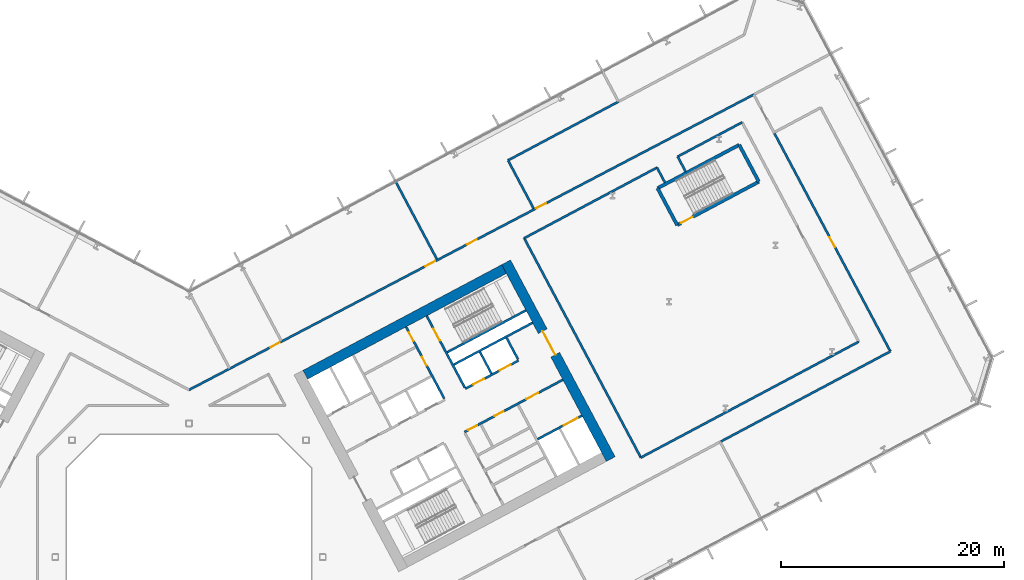
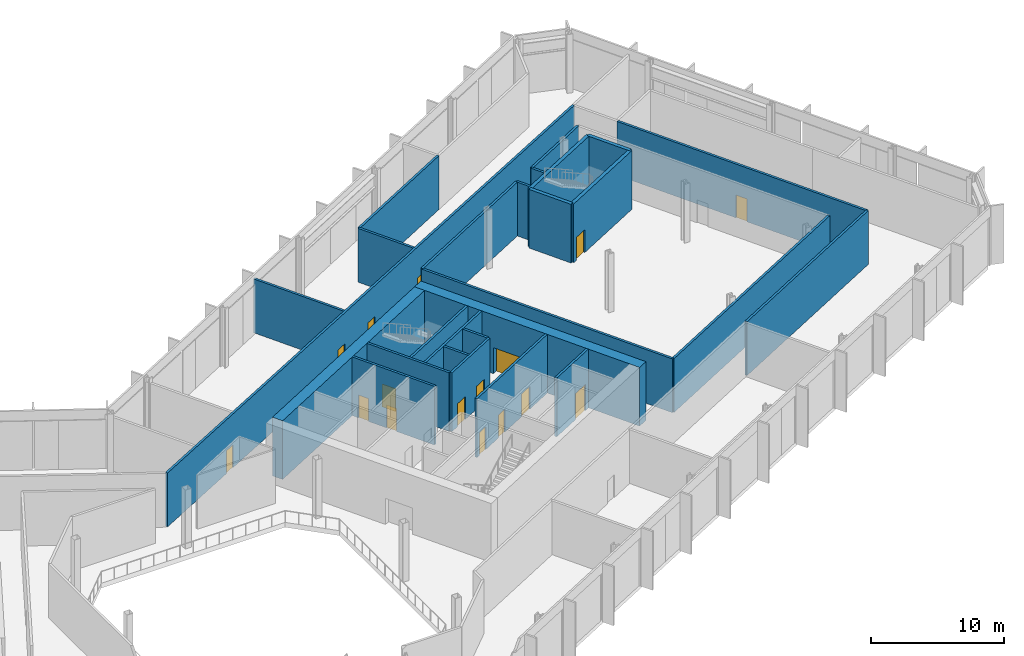
# One storey, part 16 of 31: 27 walls, 16 doors, 16 openings.
"""IFC4 building model written with IfcOpenShell, lengths in metres."""

from ifc_helpers import new_model, si_unit, direction, frame, frame_2d, origin, place, context, subcontext, project, spatial, rectangle, extrude, material, layer, layer_set, type_object, element, fill, save


model = new_model("IFC4")

# Units and contexts
model_context = context("Model", 3, precision=1e-05, world=origin(), true_north=direction((0.0, 1.0)))
body_context = subcontext(model_context, "Body", "Model", "MODEL_VIEW")
ifc_project = project(units=[si_unit("LENGTHUNIT", "METRE"), si_unit("AREAUNIT", "SQUARE_METRE"), si_unit("VOLUMEUNIT", "CUBIC_METRE"), si_unit("PLANEANGLEUNIT", "RADIAN"), si_unit("MASSUNIT", "GRAM", prefix="KILO")], contexts=[model_context])

# Site, building, storey
site_placement = place(None, origin())
site = spatial("IfcSite", under=ifc_project, at=site_placement, CompositionType="ELEMENT")
building_placement = place(site_placement, origin())
building = spatial("IfcBuilding", under=site, at=building_placement, Name="Cormorant Relay Tower", CompositionType="ELEMENT")
storey_placement = place(building_placement, frame((0.0, 0.0, 12.199951171875)))
storey = spatial("IfcBuildingStorey", under=building, at=storey_placement, Name="L02", CompositionType="ELEMENT", Elevation=12.199951171875)

# Wall
ifc_material_1 = material(Name="Concrete 40 MPa", Category="concrete")
ifc_layer_1 = layer(ifc_material_1, 0.199951171875)
ifc_layer_set_1 = layer_set([ifc_layer_1], Name="Core internal wall 200")
wall_type_1 = type_object("IfcWallType", Name="Core internal wall 200", PredefinedType="SOLIDWALL", material=ifc_layer_set_1)
wall_1_placement = place(storey_placement, frame((27.144287109375, 16.471435546875, 0.0), z_axis=(0.0, 0.0, 1.0), x_axis=(-0.469401318492, 0.882984938828, 0.0)))
element("IfcWall", 1, at=wall_1_placement, inside=storey, type_object=wall_type_1, Name="L02 core B shaft and room wall", PredefinedType="SOLIDWALL", context=body_context, shape_type="SweptSolid", body=[
    extrude(rectangle(XDim=2.199951171875, YDim=0.199951171875, at=frame_2d((1.10009765625, 0.0))), origin(), (0.0, 0.0, 1.0), 5.400146484375),
])

# Wall, openings, doors
ifc_material_2 = material(Name="Concrete 50 MPa", Category="concrete")
ifc_layer_2 = layer(ifc_material_2, 0.199951171875)
ifc_layer_set_2 = layer_set([ifc_layer_2], Name="Core shaft wall 200")
wall_type_2 = type_object("IfcWallType", Name="Core shaft wall 200", PredefinedType="SHEAR", material=ifc_layer_set_2)
wall_2_placement = place(storey_placement, frame((22.90625, 14.218017578125, 0.0), z_axis=(0.0, 0.0, 1.0), x_axis=(-0.469480409012, 0.88294288918, 0.0)))
wall_2 = element("IfcWall", 2, at=wall_2_placement, inside=storey, type_object=wall_type_2, Name="L02 core B shaft wall", PredefinedType="SHEAR", context=body_context, shape_type="SweptSolid", body=[
    extrude(rectangle(XDim=7.300048828125, YDim=0.199951171875, at=frame_2d((3.64990234375, 0.0))), origin(), (0.0, 0.0, 1.0), 5.400146484375),
])
opening_1_placement = place(wall_2_placement, frame((3.35009765625, 0.0, 0.0)))
opening_1 = element("IfcOpeningElement", 3, at=opening_1_placement, cuts=wall_2, Name="Opening CDD-076", PredefinedType="OPENING", context=body_context, shape_type="SweptSolid", body=[
    extrude(rectangle(XDim=0.89990234375, YDim=2.10009765625, at=frame_2d((0.449951171875, 1.050048828125))), frame((0.0, 0.10986328125, 0.0), z_axis=(0.0, -1.0, 0.0), x_axis=(1.0, 0.0, 0.0)), (0.0, 0.0, 1.0), 0.219970703125),
])
opening_2_placement = place(wall_2_placement, frame((5.85009765625, 0.0, 0.0)))
opening_2 = element("IfcOpeningElement", 4, at=opening_2_placement, cuts=wall_2, Name="Opening CDD-077", PredefinedType="OPENING", context=body_context, shape_type="SweptSolid", body=[
    extrude(rectangle(XDim=0.89990234375, YDim=2.10009765625, at=frame_2d((0.449951171875, 1.050048828125))), frame((0.0, 0.10986328125, 0.0), z_axis=(0.0, -1.0, 0.0), x_axis=(1.0, 0.0, 0.0)), (0.0, 0.0, 1.0), 0.219970703125),
])
ifc_material_3 = material(Name="Steel fire door", Category="steel")
door_type_1 = type_object("IfcDoorType", Name="Core room door 900x2100", OperationType="SINGLE_SWING_LEFT", PredefinedType="DOOR", material=ifc_material_3)
door_1_placement = place(opening_1_placement, origin())
door_1 = element("IfcDoor", 5, at=door_1_placement, inside=storey, type_object=door_type_1, Name="Core room door 900x2100", OperationType="SINGLE_SWING_RIGHT", OverallHeight=2.10009765625, OverallWidth=0.89990234375, PredefinedType="DOOR", context=body_context, shape_type="SweptSolid", body=[
    extrude(rectangle(XDim=0.89990234375, YDim=2.10009765625, at=frame_2d((0.449951171875, 1.050048828125))), frame((0.0, 0.02490234375, 0.0), z_axis=(0.0, -1.0, 0.0), x_axis=(1.0, 0.0, 0.0)), (0.0, 0.0, 1.0), 0.050048828125),
])
fill(opening_1, door_1)
door_2_placement = place(opening_2_placement, origin())
door_2 = element("IfcDoor", 6, at=door_2_placement, inside=storey, type_object=door_type_1, Name="Core room door 900x2100", OperationType="SINGLE_SWING_LEFT", OverallHeight=2.10009765625, OverallWidth=0.89990234375, PredefinedType="DOOR", context=body_context, shape_type="SweptSolid", body=[
    extrude(rectangle(XDim=0.89990234375, YDim=2.10009765625, at=frame_2d((0.449951171875, 1.050048828125))), frame((0.0, 0.02490234375, 0.0), z_axis=(0.0, -1.0, 0.0), x_axis=(1.0, 0.0, 0.0)), (0.0, 0.0, 1.0), 0.050048828125),
])
fill(opening_2, door_2)

# Wall, opening, door
wall_3_placement = place(storey_placement, frame((24.760498046875, 15.2041015625, 0.0), z_axis=(0.0, 0.0, 1.0), x_axis=(-0.469494272526, 0.882935517501, 0.0)))
wall_3 = element("IfcWall", 7, at=wall_3_placement, inside=storey, type_object=wall_type_2, Name="L02 core B shaft wall", PredefinedType="SHEAR", context=body_context, shape_type="SweptSolid", body=[
    extrude(rectangle(XDim=7.2998046875, YDim=0.199951171875, at=frame_2d((3.64990234375, 0.0))), origin(), (0.0, 0.0, 1.0), 5.400146484375),
])
opening_3_placement = place(wall_3_placement, frame((4.800048828125, 0.0, 0.0)))
opening_3 = element("IfcOpeningElement", 8, at=opening_3_placement, cuts=wall_3, Name="Opening CDB-022", PredefinedType="OPENING", context=body_context, shape_type="SweptSolid", body=[
    extrude(rectangle(XDim=1.199951171875, YDim=2.10009765625, at=frame_2d((0.60009765625, 1.050048828125))), frame((0.0, 0.10986328125, 0.0), z_axis=(0.0, -1.0, 0.0), x_axis=(1.0, 0.0, 0.0)), (0.0, 0.0, 1.0), 0.219970703125),
])
ifc_material_4 = material(Name="Steel fire door", Category="steel")
door_type_2 = type_object("IfcDoorType", Name="Core stair door 1200x2100", OperationType="SINGLE_SWING_LEFT", PredefinedType="DOOR", material=ifc_material_4)
door_3_placement = place(opening_3_placement, frame((1.199951171875, 0.0, 0.0), z_axis=(0.0, 0.0, 1.0), x_axis=(-1.0, 0.0, 0.0)))
door_3 = element("IfcDoor", 9, at=door_3_placement, inside=storey, type_object=door_type_2, Name="Core stair door 1200x2100", OperationType="SINGLE_SWING_RIGHT", OverallHeight=2.10009765625, OverallWidth=1.199951171875, PredefinedType="DOOR", context=body_context, shape_type="SweptSolid", body=[
    extrude(rectangle(XDim=1.199951171875, YDim=2.10009765625, at=frame_2d((0.60009765625, 1.050048828125))), frame((0.0, 0.02490234375, 0.0), z_axis=(0.0, -1.0, 0.0), x_axis=(1.0, 0.0, 0.0)), (0.0, 0.0, 1.0), 0.050048828125),
])
fill(opening_3, door_3)

# Wall
wall_4_placement = place(storey_placement, frame((29.5283203125, 17.739013671875, 0.0), z_axis=(0.0, 0.0, 1.0), x_axis=(-0.469401318492, 0.882984938828, 0.0)))
element("IfcWall", 10, at=wall_4_placement, inside=storey, type_object=wall_type_2, Name="L02 core B shaft wall", PredefinedType="SHEAR", context=body_context, shape_type="SweptSolid", body=[
    extrude(rectangle(XDim=2.199951171875, YDim=0.199951171875, at=frame_2d((1.10009765625, 0.0))), origin(), (0.0, 0.0, 1.0), 5.400146484375),
])

# Wall, opening, door
wall_5_placement = place(storey_placement, frame((31.295654296875, 10.5810546875, 0.0), z_axis=(0.0, 0.0, 1.0), x_axis=(0.882960433586, 0.469447412093, 0.0)))
wall_5 = element("IfcWall", 11, at=wall_5_placement, inside=storey, type_object=wall_type_2, Name="L02 core B shaft wall", PredefinedType="SHEAR", context=body_context, shape_type="SweptSolid", body=[
    extrude(rectangle(XDim=4.5, YDim=0.199951171875, at=frame_2d((2.25, 0.0))), origin(), (0.0, 0.0, 1.0), 5.400146484375),
])
opening_4_placement = place(wall_5_placement, frame((2.64990234375, 0.0, 0.0)))
opening_4 = element("IfcOpeningElement", 12, at=opening_4_placement, cuts=wall_5, Name="Opening LD3-008", PredefinedType="OPENING", context=body_context, shape_type="SweptSolid", body=[
    extrude(rectangle(XDim=1.39990234375, YDim=2.39990234375, at=frame_2d((0.699951171875, 1.199951171875))), frame((0.0, 0.10986328125, 0.0), z_axis=(0.0, -1.0, 0.0), x_axis=(1.0, 0.0, 0.0)), (0.0, 0.0, 1.0), 0.219970703125),
])
ifc_material_5 = material(Name="Stainless steel 316", Category="steel")
door_type_3 = type_object("IfcDoorType", Name="Lift landing door 1400x2400", OperationType="DOUBLE_DOOR_SLIDING", PredefinedType="DOOR", material=ifc_material_5)
door_4_placement = place(opening_4_placement, origin())
door_4 = element("IfcDoor", 13, at=door_4_placement, inside=storey, type_object=door_type_3, Name="SV2 landing door", OperationType="DOUBLE_DOOR_SLIDING", OverallHeight=2.39990234375, OverallWidth=1.39990234375, PredefinedType="DOOR", context=body_context, shape_type="SweptSolid", body=[
    extrude(rectangle(XDim=1.39990234375, YDim=2.39990234375, at=frame_2d((0.699951171875, 1.199951171875))), frame((0.0, 0.02490234375, 0.0), z_axis=(0.0, -1.0, 0.0), x_axis=(1.0, 0.0, 0.0)), (0.0, 0.0, 1.0), 0.050048828125),
])
fill(opening_4, door_4)

# Wall, openings, doors
wall_6_placement = place(storey_placement, frame((24.72607421875, 11.2216796875, 0.0), z_axis=(0.0, 0.0, 1.0), x_axis=(0.882940221191, 0.469485426614, 0.0)))
wall_6 = element("IfcWall", 14, at=wall_6_placement, inside=storey, type_object=wall_type_2, Name="L02 core B shaft wall", PredefinedType="SHEAR", context=body_context, shape_type="SweptSolid", body=[
    extrude(rectangle(XDim=10.0, YDim=0.199951171875, at=frame_2d((5.0, 0.0))), origin(), (0.0, 0.0, 1.0), 5.400146484375),
])
opening_5_placement = place(wall_6_placement, frame((6.300048828125, 0.0, 0.0)))
opening_5 = element("IfcOpeningElement", 15, at=opening_5_placement, cuts=wall_6, Name="Opening CDC-016", PredefinedType="OPENING", context=body_context, shape_type="SweptSolid", body=[
    extrude(rectangle(XDim=1.199951171875, YDim=2.10009765625, at=frame_2d((0.60009765625, 1.050048828125))), frame((0.0, 0.10986328125, 0.0), z_axis=(0.0, -1.0, 0.0), x_axis=(1.0, 0.0, 0.0)), (0.0, 0.0, 1.0), 0.219970703125),
])
opening_6_placement = place(wall_6_placement, frame((0.360107421875, 0.0, 0.0)))
opening_6 = element("IfcOpeningElement", 16, at=opening_6_placement, cuts=wall_6, Name="Opening CDD-074", PredefinedType="OPENING", context=body_context, shape_type="SweptSolid", body=[
    extrude(rectangle(XDim=0.89990234375, YDim=2.10009765625, at=frame_2d((0.449951171875, 1.050048828125))), frame((0.0, 0.10986328125, 0.0), z_axis=(0.0, -1.0, 0.0), x_axis=(1.0, 0.0, 0.0)), (0.0, 0.0, 1.0), 0.219970703125),
])
opening_7_placement = place(wall_6_placement, frame((3.06005859375, 0.0, 0.0)))
opening_7 = element("IfcOpeningElement", 17, at=opening_7_placement, cuts=wall_6, Name="Opening CDD-075", PredefinedType="OPENING", context=body_context, shape_type="SweptSolid", body=[
    extrude(rectangle(XDim=0.89990234375, YDim=2.10009765625, at=frame_2d((0.449951171875, 1.050048828125))), frame((0.0, 0.10986328125, 0.0), z_axis=(0.0, -1.0, 0.0), x_axis=(1.0, 0.0, 0.0)), (0.0, 0.0, 1.0), 0.219970703125),
])
ifc_material_6 = material(Name="Steel fire door", Category="steel")
door_type_4 = type_object("IfcDoorType", Name="Core lobby door 1200x2100", OperationType="SINGLE_SWING_LEFT", PredefinedType="DOOR", material=ifc_material_6)
door_5_placement = place(opening_5_placement, frame((1.199951171875, 0.0, 0.0), z_axis=(0.0, 0.0, 1.0), x_axis=(-1.0, 0.0, 0.0)))
door_5 = element("IfcDoor", 18, at=door_5_placement, inside=storey, type_object=door_type_4, Name="Core lobby door 1200x2100", OperationType="SINGLE_SWING_RIGHT", OverallHeight=2.10009765625, OverallWidth=1.199951171875, PredefinedType="DOOR", context=body_context, shape_type="SweptSolid", body=[
    extrude(rectangle(XDim=1.199951171875, YDim=2.10009765625, at=frame_2d((0.60009765625, 1.050048828125))), frame((0.0, 0.02490234375, 0.0), z_axis=(0.0, -1.0, 0.0), x_axis=(1.0, 0.0, 0.0)), (0.0, 0.0, 1.0), 0.050048828125),
])
fill(opening_5, door_5)
door_6_placement = place(opening_6_placement, frame((0.89990234375, 0.0, 0.0), z_axis=(0.0, 0.0, 1.0), x_axis=(-1.0, 0.0, 0.0)))
door_6 = element("IfcDoor", 19, at=door_6_placement, inside=storey, type_object=door_type_1, Name="Core room door 900x2100", OperationType="SINGLE_SWING_RIGHT", OverallHeight=2.10009765625, OverallWidth=0.89990234375, PredefinedType="DOOR", context=body_context, shape_type="SweptSolid", body=[
    extrude(rectangle(XDim=0.89990234375, YDim=2.10009765625, at=frame_2d((0.449951171875, 1.050048828125))), frame((0.0, 0.02490234375, 0.0), z_axis=(0.0, -1.0, 0.0), x_axis=(1.0, 0.0, 0.0)), (0.0, 0.0, 1.0), 0.050048828125),
])
fill(opening_6, door_6)
door_7_placement = place(opening_7_placement, frame((0.89990234375, 0.0, 0.0), z_axis=(0.0, 0.0, 1.0), x_axis=(-1.0, 0.0, 0.0)))
door_7 = element("IfcDoor", 20, at=door_7_placement, inside=storey, type_object=door_type_1, Name="Core room door 900x2100", OperationType="SINGLE_SWING_RIGHT", OverallHeight=2.10009765625, OverallWidth=0.89990234375, PredefinedType="DOOR", context=body_context, shape_type="SweptSolid", body=[
    extrude(rectangle(XDim=0.89990234375, YDim=2.10009765625, at=frame_2d((0.449951171875, 1.050048828125))), frame((0.0, 0.02490234375, 0.0), z_axis=(0.0, -1.0, 0.0), x_axis=(1.0, 0.0, 0.0)), (0.0, 0.0, 1.0), 0.050048828125),
])
fill(opening_7, door_7)

wall_7_placement = place(storey_placement, frame((24.807373046875, 15.11572265625, 0.0), z_axis=(0.0, 0.0, 1.0), x_axis=(0.882942972946, 0.469480251476, 0.0)))
wall_7 = element("IfcWall", 21, at=wall_7_placement, inside=storey, type_object=wall_type_2, Name="L02 core B shaft wall", PredefinedType="SHEAR", context=body_context, shape_type="SweptSolid", body=[
    extrude(rectangle(XDim=5.39990234375, YDim=0.199951171875, at=frame_2d((2.699951171875, 0.0))), origin(), (0.0, 0.0, 1.0), 5.400146484375),
])
opening_8_placement = place(wall_7_placement, frame((0.800048828125, 0.0, 0.0)))
opening_8 = element("IfcOpeningElement", 22, at=opening_8_placement, cuts=wall_7, Name="Opening LD1-022", PredefinedType="OPENING", context=body_context, shape_type="SweptSolid", body=[
    extrude(rectangle(XDim=1.10009765625, YDim=2.10009765625, at=frame_2d((0.550048828125, 1.050048828125))), frame((0.0, 0.10986328125, 0.0), z_axis=(0.0, -1.0, 0.0), x_axis=(1.0, 0.0, 0.0)), (0.0, 0.0, 1.0), 0.219970703125),
])
opening_9_placement = place(wall_7_placement, frame((3.5, 0.0, 0.0)))
opening_9 = element("IfcOpeningElement", 23, at=opening_9_placement, cuts=wall_7, Name="Opening LD1-023", PredefinedType="OPENING", context=body_context, shape_type="SweptSolid", body=[
    extrude(rectangle(XDim=1.10009765625, YDim=2.10009765625, at=frame_2d((0.550048828125, 1.050048828125))), frame((0.0, 0.10986328125, 0.0), z_axis=(0.0, -1.0, 0.0), x_axis=(1.0, 0.0, 0.0)), (0.0, 0.0, 1.0), 0.219970703125),
])
ifc_material_7 = material(Name="Stainless steel 316", Category="steel")
door_type_5 = type_object("IfcDoorType", Name="Lift landing door 1100x2100", OperationType="DOUBLE_DOOR_SLIDING", PredefinedType="DOOR", material=ifc_material_7)
door_8_placement = place(opening_8_placement, origin())
door_8 = element("IfcDoor", 24, at=door_8_placement, inside=storey, type_object=door_type_5, Name="LR3 landing door", OperationType="DOUBLE_DOOR_SLIDING", OverallHeight=2.10009765625, OverallWidth=1.10009765625, PredefinedType="DOOR", context=body_context, shape_type="SweptSolid", body=[
    extrude(rectangle(XDim=1.10009765625, YDim=2.10009765625, at=frame_2d((0.550048828125, 1.050048828125))), frame((0.0, 0.02490234375, 0.0), z_axis=(0.0, -1.0, 0.0), x_axis=(1.0, 0.0, 0.0)), (0.0, 0.0, 1.0), 0.050048828125),
])
fill(opening_8, door_8)
door_9_placement = place(opening_9_placement, origin())
door_9 = element("IfcDoor", 25, at=door_9_placement, inside=storey, type_object=door_type_5, Name="LR4 landing door", OperationType="DOUBLE_DOOR_SLIDING", OverallHeight=2.10009765625, OverallWidth=1.10009765625, PredefinedType="DOOR", context=body_context, shape_type="SweptSolid", body=[
    extrude(rectangle(XDim=1.10009765625, YDim=2.10009765625, at=frame_2d((0.550048828125, 1.050048828125))), frame((0.0, 0.02490234375, 0.0), z_axis=(0.0, -1.0, 0.0), x_axis=(1.0, 0.0, 0.0)), (0.0, 0.0, 1.0), 0.050048828125),
])
fill(opening_9, door_9)

# Walls
wall_8_placement = place(storey_placement, frame((23.76904296875, 17.28173828125, 0.0), z_axis=(0.0, 0.0, 1.0), x_axis=(0.882940221191, 0.469485426614, 0.0)))
element("IfcWall", 26, at=wall_8_placement, inside=storey, type_object=wall_type_2, Name="L02 core B shaft wall", PredefinedType="SHEAR", context=body_context, shape_type="SweptSolid", body=[
    extrude(rectangle(XDim=8.0, YDim=0.199951171875, at=frame_2d((4.0, 0.0))), origin(), (0.0, 0.0, 1.0), 5.400146484375),
])
wall_9_placement = place(storey_placement, frame((23.18212890625, 18.385498046875, 0.0), z_axis=(0.0, 0.0, 1.0), x_axis=(0.88295287151, 0.469461634952, 0.0)))
element("IfcWall", 27, at=wall_9_placement, inside=storey, type_object=wall_type_2, Name="L02 core B shaft wall", PredefinedType="SHEAR", context=body_context, shape_type="SweptSolid", body=[
    extrude(rectangle(XDim=7.999755859375, YDim=0.199951171875, at=frame_2d((4.0, 0.0))), origin(), (0.0, 0.0, 1.0), 5.400146484375),
])

# Wall, opening, door
ifc_material_8 = material(Name="Concrete 70 MPa", Category="concrete")
ifc_layer_3 = layer(ifc_material_8, 0.89990234375)
ifc_layer_set_3 = layer_set([ifc_layer_3], Name="Core wall 900")
wall_type_3 = type_object("IfcWallType", Name="Core wall 900", PredefinedType="SHEAR", material=ifc_layer_set_3)
wall_10_placement = place(storey_placement, frame((37.849365234375, 8.799072265625, 0.0), z_axis=(0.0, 0.0, 1.0), x_axis=(-0.469465789982, 0.882950662289, 0.0)))
wall_10 = element("IfcWall", 28, at=wall_10_placement, inside=storey, type_object=wall_type_3, Name="L02 core B wall", PredefinedType="SHEAR", context=body_context, shape_type="SweptSolid", body=[
    extrude(rectangle(XDim=20.000244140625, YDim=0.89990234375, at=frame_2d((10.0, 0.0))), origin(), (0.0, 0.0, 1.0), 5.400146484375),
])
opening_10_placement = place(wall_10_placement, frame((10.60009765625, 0.0, 0.0)))
opening_10 = element("IfcOpeningElement", 29, at=opening_10_placement, cuts=wall_10, Name="Opening CDA-016", PredefinedType="OPENING", context=body_context, shape_type="SweptSolid", body=[
    extrude(rectangle(XDim=2.39990234375, YDim=2.39990234375, at=frame_2d((1.199951171875, 1.199951171875))), frame((0.0, 0.4599609375, 0.0), z_axis=(0.0, -1.0, 0.0), x_axis=(1.0, 0.0, 0.0)), (0.0, 0.0, 1.0), 0.919921875),
])
ifc_material_9 = material(Name="Steel fire door", Category="steel")
door_type_6 = type_object("IfcDoorType", Name="Core lobby door 2400x2400", OperationType="DOUBLE_DOOR_SINGLE_SWING", PredefinedType="DOOR", material=ifc_material_9)
door_10_placement = place(opening_10_placement, origin())
door_10 = element("IfcDoor", 30, at=door_10_placement, inside=storey, type_object=door_type_6, Name="Core lobby door 2400x2400", OperationType="DOUBLE_DOOR_SINGLE_SWING", OverallHeight=2.39990234375, OverallWidth=2.39990234375, PredefinedType="DOOR", context=body_context, shape_type="SweptSolid", body=[
    extrude(rectangle(XDim=2.39990234375, YDim=2.39990234375, at=frame_2d((1.199951171875, 1.199951171875))), frame((0.0, 0.02490234375, 0.0), z_axis=(0.0, -1.0, 0.0), x_axis=(1.0, 0.0, 0.0)), (0.0, 0.0, 1.0), 0.050048828125),
])
fill(opening_10, door_10)

# Wall
wall_11_placement = place(storey_placement, frame((10.4384765625, 16.3662109375, 0.0), z_axis=(0.0, 0.0, 1.0), x_axis=(0.88294509198, 0.469476266226, 0.0)))
element("IfcWall", 31, at=wall_11_placement, inside=storey, type_object=wall_type_3, Name="L02 core B wall", PredefinedType="SHEAR", context=body_context, shape_type="SweptSolid", body=[
    extrude(rectangle(XDim=20.199951171875, YDim=0.89990234375, at=frame_2d((10.10009765625, 0.0))), origin(), (0.0, 0.0, 1.0), 5.400146484375),
])

# Wall, openings, doors
ifc_material_10 = material(Name="Fire-rated gypsum board partition")
ifc_layer_4 = layer(ifc_material_10, 0.199951171875)
ifc_layer_set_4 = layer_set([ifc_layer_4], Name="Fire-rated gypsum partition 200")
wall_type_4 = type_object("IfcWallType", Name="Fire-rated gypsum partition 200", PredefinedType="PARTITIONING", material=ifc_layer_set_4)
wall_12_placement = place(storey_placement, frame((0.0, 15.007080078125, 0.0), z_axis=(0.0, 0.0, 1.0), x_axis=(0.886151087154, 0.463396429352, 0.0)))
wall_12 = element("IfcWall", 32, at=wall_12_placement, inside=storey, type_object=wall_type_4, Name="wall/L02/part/34", PredefinedType="PARTITIONING", context=body_context, shape_type="SweptSolid", body=[
    extrude(rectangle(XDim=57.2060546875, YDim=0.199951171875, at=frame_2d((28.60302734375, 0.0))), origin(), (0.0, 0.0, 1.0), 4.949951171875),
])
opening_11_placement = place(wall_12_placement, frame((35.14892578125, 0.0, 0.0)))
opening_11 = element("IfcOpeningElement", 33, at=opening_11_placement, cuts=wall_12, Name="Opening FD1-027", PredefinedType="OPENING", context=body_context, shape_type="SweptSolid", body=[
    extrude(rectangle(XDim=1.0, YDim=2.10009765625, at=frame_2d((0.5, 1.050048828125))), frame((0.0, 0.10986328125, 0.0), z_axis=(0.0, -1.0, 0.0), x_axis=(1.0, 0.0, 0.0)), (0.0, 0.0, 1.0), 0.219970703125),
])
opening_12_placement = place(wall_12_placement, frame((28.14990234375, 0.0, 0.0)))
opening_12 = element("IfcOpeningElement", 34, at=opening_12_placement, cuts=wall_12, Name="Opening FD1-028", PredefinedType="OPENING", context=body_context, shape_type="SweptSolid", body=[
    extrude(rectangle(XDim=1.0, YDim=2.10009765625, at=frame_2d((0.5, 1.050048828125))), frame((0.0, 0.10986328125, 0.0), z_axis=(0.0, -1.0, 0.0), x_axis=(1.0, 0.0, 0.0)), (0.0, 0.0, 1.0), 0.219970703125),
])
opening_13_placement = place(wall_12_placement, frame((23.948974609375, 0.0, 0.0)))
opening_13 = element("IfcOpeningElement", 35, at=opening_13_placement, cuts=wall_12, Name="Opening FD1-012", PredefinedType="OPENING", context=body_context, shape_type="SweptSolid", body=[
    extrude(rectangle(XDim=1.0, YDim=2.10009765625, at=frame_2d((0.5, 1.050048828125))), frame((0.0, 0.10986328125, 0.0), z_axis=(0.0, -1.0, 0.0), x_axis=(1.0, 0.0, 0.0)), (0.0, 0.0, 1.0), 0.219970703125),
])
opening_14_placement = place(wall_12_placement, frame((8.25, 0.0, 0.0)))
opening_14 = element("IfcOpeningElement", 36, at=opening_14_placement, cuts=wall_12, Name="Opening D2-003", PredefinedType="OPENING", context=body_context, shape_type="SweptSolid", body=[
    extrude(rectangle(XDim=0.949951171875, YDim=2.10009765625, at=frame_2d((0.47509765625, 1.050048828125))), frame((0.0, 0.10986328125, 0.0), z_axis=(0.0, -1.0, 0.0), x_axis=(1.0, 0.0, 0.0)), (0.0, 0.0, 1.0), 0.219970703125),
])
ifc_material_11 = material(Name="Fire-rated steel door", Category="steel")
door_type_7 = type_object("IfcDoorType", Name="Fire door 1000 x 2100", OperationType="SINGLE_SWING_LEFT", PredefinedType="DOOR", material=ifc_material_11)
door_11_placement = place(opening_11_placement, origin())
door_11 = element("IfcDoor", 37, at=door_11_placement, inside=storey, type_object=door_type_7, Name="door/L02/8", OperationType="SINGLE_SWING_LEFT", OverallHeight=2.10009765625, OverallWidth=1.0, PredefinedType="DOOR", context=body_context, shape_type="SweptSolid", body=[
    extrude(rectangle(XDim=1.0, YDim=2.10009765625, at=frame_2d((0.5, 1.050048828125))), frame((0.0, 0.02490234375, 0.0), z_axis=(0.0, -1.0, 0.0), x_axis=(1.0, 0.0, 0.0)), (0.0, 0.0, 1.0), 0.050048828125),
])
fill(opening_11, door_11)
door_12_placement = place(opening_12_placement, origin())
door_12 = element("IfcDoor", 38, at=door_12_placement, inside=storey, type_object=door_type_7, Name="door/L02/9", OperationType="SINGLE_SWING_LEFT", OverallHeight=2.10009765625, OverallWidth=1.0, PredefinedType="DOOR", context=body_context, shape_type="SweptSolid", body=[
    extrude(rectangle(XDim=1.0, YDim=2.10009765625, at=frame_2d((0.5, 1.050048828125))), frame((0.0, 0.02490234375, 0.0), z_axis=(0.0, -1.0, 0.0), x_axis=(1.0, 0.0, 0.0)), (0.0, 0.0, 1.0), 0.050048828125),
])
fill(opening_12, door_12)
door_13_placement = place(opening_13_placement, origin())
door_13 = element("IfcDoor", 39, at=door_13_placement, inside=storey, type_object=door_type_7, Name="door/L02/10", OperationType="SINGLE_SWING_RIGHT", OverallHeight=2.10009765625, OverallWidth=1.0, PredefinedType="DOOR", context=body_context, shape_type="SweptSolid", body=[
    extrude(rectangle(XDim=1.0, YDim=2.10009765625, at=frame_2d((0.5, 1.050048828125))), frame((0.0, 0.02490234375, 0.0), z_axis=(0.0, -1.0, 0.0), x_axis=(1.0, 0.0, 0.0)), (0.0, 0.0, 1.0), 0.050048828125),
])
fill(opening_13, door_13)
ifc_material_12 = material(Name="Timber door", Category="wood")
door_type_8 = type_object("IfcDoorType", Name="Toilet door 950 x 2100", OperationType="SINGLE_SWING_LEFT", PredefinedType="DOOR", material=ifc_material_12)
door_14_placement = place(opening_14_placement, origin())
door_14 = element("IfcDoor", 40, at=door_14_placement, inside=storey, type_object=door_type_8, Name="door/L02/11", OperationType="SINGLE_SWING_RIGHT", OverallHeight=2.10009765625, OverallWidth=0.949951171875, PredefinedType="DOOR", context=body_context, shape_type="SweptSolid", body=[
    extrude(rectangle(XDim=0.949951171875, YDim=2.10009765625, at=frame_2d((0.47509765625, 1.050048828125))), frame((0.0, 0.02490234375, 0.0), z_axis=(0.0, -1.0, 0.0), x_axis=(1.0, 0.0, 0.0)), (0.0, 0.0, 1.0), 0.050048828125),
])
fill(opening_14, door_14)

# Walls
wall_13_placement = place(storey_placement, frame((18.47509765625, 33.833984375, 0.0), z_axis=(0.0, 0.0, 1.0), x_axis=(0.469545336722, -0.882908362608, 0.0)))
element("IfcWall", 41, at=wall_13_placement, inside=storey, type_object=wall_type_4, Name="wall/L02/part/50", PredefinedType="PARTITIONING", context=body_context, shape_type="SweptSolid", body=[
    extrude(rectangle(XDim=8.021728515625, YDim=0.199951171875, at=frame_2d((4.0107421875, 0.0))), origin(), (0.0, 0.0, 1.0), 4.949951171875),
])
wall_14_placement = place(storey_placement, frame((30.9287109375, 31.294189453125, 0.0), z_axis=(0.0, 0.0, 1.0), x_axis=(-0.469522706503, 0.882920397362, 0.0)))
element("IfcWall", 42, at=wall_14_placement, inside=storey, type_object=wall_type_4, Name="wall/L02/part/53", PredefinedType="PARTITIONING", context=body_context, shape_type="SweptSolid", body=[
    extrude(rectangle(XDim=4.889404296875, YDim=0.199951171875, at=frame_2d((2.44482421875, 0.0))), origin(), (0.0, 0.0, 1.0), 4.949951171875),
])
wall_15_placement = place(storey_placement, frame((28.633056640625, 35.611083984375, 0.0), z_axis=(0.0, 0.0, 1.0), x_axis=(0.882938561172, 0.469488548524, 0.0)))
element("IfcWall", 43, at=wall_15_placement, inside=storey, type_object=wall_type_4, Name="wall/L02/part/54", PredefinedType="PARTITIONING", context=body_context, shape_type="SweptSolid", body=[
    extrude(rectangle(XDim=11.22705078125, YDim=0.199951171875, at=frame_2d((5.613525390625, 0.0))), origin(), (0.0, 0.0, 1.0), 4.949951171875),
])
wall_16_placement = place(storey_placement, frame((44.5771484375, 34.595458984375, 0.0), z_axis=(0.0, 0.0, 1.0), x_axis=(-0.469512532402, 0.882925807708, 0.0)))
element("IfcWall", 44, at=wall_16_placement, inside=storey, type_object=wall_type_4, Name="wall/L02/part/60", PredefinedType="PARTITIONING", context=body_context, shape_type="SweptSolid", body=[
    extrude(rectangle(XDim=1.531982421875, YDim=0.199951171875, at=frame_2d((0.76611328125, 0.0))), origin(), (0.0, 0.0, 1.0), 4.949951171875),
])
wall_17_placement = place(storey_placement, frame((43.85791015625, 35.947998046875, 0.0), z_axis=(0.0, 0.0, 1.0), x_axis=(0.882949648076, 0.469467697464, 0.0)))
element("IfcWall", 45, at=wall_17_placement, inside=storey, type_object=wall_type_4, Name="wall/L02/part/61", PredefinedType="PARTITIONING", context=body_context, shape_type="SweptSolid", body=[
    extrude(rectangle(XDim=6.5498046875, YDim=0.199951171875, at=frame_2d((3.27490234375, 0.0))), origin(), (0.0, 0.0, 1.0), 4.949951171875),
])
wall_18_placement = place(storey_placement, frame((60.110107421875, 19.3330078125, 0.0), z_axis=(0.0, 0.0, 1.0), x_axis=(-0.882943552693, -0.469479161154, 0.0)))
element("IfcWall", 46, at=wall_18_placement, inside=storey, type_object=wall_type_4, Name="wall/L02/part/63", PredefinedType="PARTITIONING", context=body_context, shape_type="SweptSolid", body=[
    extrude(rectangle(XDim=22.14990234375, YDim=0.199951171875, at=frame_2d((11.074951171875, 0.0))), origin(), (0.0, 0.0, 1.0), 4.949951171875),
])
wall_19_placement = place(storey_placement, frame((40.552978515625, 8.93408203125, 0.0), z_axis=(0.0, 0.0, 1.0), x_axis=(-0.46949404623, 0.882935637832, 0.0)))
element("IfcWall", 47, at=wall_19_placement, inside=storey, type_object=wall_type_4, Name="wall/L02/part/64", PredefinedType="PARTITIONING", context=body_context, shape_type="SweptSolid", body=[
    extrude(rectangle(XDim=22.300537109375, YDim=0.199951171875, at=frame_2d((11.150390625, 0.0))), origin(), (0.0, 0.0, 1.0), 4.949951171875),
])
wall_20_placement = place(storey_placement, frame((30.0830078125, 28.6240234375, 0.0), z_axis=(0.0, 0.0, 1.0), x_axis=(0.882964893563, 0.469439023448, 0.0)))
element("IfcWall", 48, at=wall_20_placement, inside=storey, type_object=wall_type_4, Name="wall/L02/part/65", PredefinedType="PARTITIONING", context=body_context, shape_type="SweptSolid", body=[
    extrude(rectangle(XDim=13.5009765625, YDim=0.199951171875, at=frame_2d((6.75048828125, 0.0))), origin(), (0.0, 0.0, 1.0), 4.949951171875),
])
wall_21_placement = place(storey_placement, frame((42.00390625, 34.9619140625, 0.0), z_axis=(0.0, 0.0, 1.0), x_axis=(0.469583805178, -0.882887903369, 0.0)))
element("IfcWall", 49, at=wall_21_placement, inside=storey, type_object=wall_type_4, Name="wall/L02/part/66", PredefinedType="PARTITIONING", context=body_context, shape_type="SweptSolid", body=[
    extrude(rectangle(XDim=1.52685546875, YDim=0.199951171875, at=frame_2d((0.763427734375, 0.0))), origin(), (0.0, 0.0, 1.0), 4.949951171875),
])

# Wall, opening, door
wall_22_placement = place(storey_placement, frame((52.544921875, 38.032958984375, 0.0), z_axis=(0.0, 0.0, 1.0), x_axis=(0.469474673387, -0.882945938916, 0.0)))
wall_22 = element("IfcWall", 50, at=wall_22_placement, inside=storey, type_object=wall_type_4, Name="wall/L02/part/67", PredefinedType="PARTITIONING", context=body_context, shape_type="SweptSolid", body=[
    extrude(rectangle(XDim=22.1630859375, YDim=0.199951171875, at=frame_2d((11.08154296875, 0.0))), origin(), (0.0, 0.0, 1.0), 4.949951171875),
])
opening_15_placement = place(wall_22_placement, frame((10.551025390625, 0.0, 0.0)))
opening_15 = element("IfcOpeningElement", 51, at=opening_15_placement, cuts=wall_22, Name="Opening FD1-025", PredefinedType="OPENING", context=body_context, shape_type="SweptSolid", body=[
    extrude(rectangle(XDim=1.0, YDim=2.10009765625, at=frame_2d((0.5, 1.050048828125))), frame((0.0, 0.10986328125, 0.0), z_axis=(0.0, -1.0, 0.0), x_axis=(1.0, 0.0, 0.0)), (0.0, 0.0, 1.0), 0.219970703125),
])
door_15_placement = place(opening_15_placement, origin())
door_15 = element("IfcDoor", 52, at=door_15_placement, inside=storey, type_object=door_type_7, Name="door/L02/6", OperationType="SINGLE_SWING_LEFT", OverallHeight=2.10009765625, OverallWidth=1.0, PredefinedType="DOOR", context=body_context, shape_type="SweptSolid", body=[
    extrude(rectangle(XDim=1.0, YDim=2.10009765625, at=frame_2d((0.5, 1.050048828125))), frame((0.0, 0.02490234375, 0.0), z_axis=(0.0, -1.0, 0.0), x_axis=(1.0, 0.0, 0.0)), (0.0, 0.0, 1.0), 0.050048828125),
])
fill(opening_15, door_15)

# Walls
wall_23_placement = place(storey_placement, frame((62.949951171875, 18.464111328125, 0.0), z_axis=(0.0, 0.0, 1.0), x_axis=(-0.882953495127, -0.469460462065, 0.0)))
element("IfcWall", 53, at=wall_23_placement, inside=storey, type_object=wall_type_4, Name="wall/L02/part/68", PredefinedType="PARTITIONING", context=body_context, shape_type="SweptSolid", body=[
    extrude(rectangle(XDim=17.230712890625, YDim=0.199951171875, at=frame_2d((8.615234375, 0.0))), origin(), (0.0, 0.0, 1.0), 4.949951171875),
])
ifc_material_13 = material(Name="Concrete 50 MPa", Category="concrete")
ifc_layer_5 = layer(ifc_material_13, 0.300048828125)
ifc_layer_set_5 = layer_set([ifc_layer_5], Name="Remote stair wall 300")
wall_type_5 = type_object("IfcWallType", Name="Remote stair wall 300", PredefinedType="SHEAR", material=ifc_layer_set_5)
wall_24_placement = place(storey_placement, frame((49.384033203125, 37.00390625, 0.0), z_axis=(0.0, 0.0, 1.0), x_axis=(0.46946936446, -0.882948761726, 0.0)))
element("IfcWall", 54, at=wall_24_placement, inside=storey, type_object=wall_type_5, Name="L02 exit stair RB1 wall", PredefinedType="SHEAR", context=body_context, shape_type="SweptSolid", body=[
    extrude(rectangle(XDim=3.75, YDim=0.300048828125, at=frame_2d((1.875, 0.0))), origin(), (0.0, 0.0, 1.0), 5.400146484375),
])

# Wall, opening, door
wall_25_placement = place(storey_placement, frame((51.14453125, 33.69287109375, 0.0), z_axis=(0.0, 0.0, 1.0), x_axis=(-0.882945809314, -0.469474917132, 0.0)))
wall_25 = element("IfcWall", 55, at=wall_25_placement, inside=storey, type_object=wall_type_5, Name="L02 exit stair RB1 wall", PredefinedType="SHEAR", context=body_context, shape_type="SweptSolid", body=[
    extrude(rectangle(XDim=8.30029296875, YDim=0.300048828125, at=frame_2d((4.150146484375, 0.0))), origin(), (0.0, 0.0, 1.0), 5.400146484375),
])
opening_16_placement = place(wall_25_placement, frame((6.72509765625, 0.0, 0.0)))
opening_16 = element("IfcOpeningElement", 56, at=opening_16_placement, cuts=wall_25, Name="Opening CDB-023", PredefinedType="OPENING", context=body_context, shape_type="SweptSolid", body=[
    extrude(rectangle(XDim=1.199951171875, YDim=2.10009765625, at=frame_2d((0.60009765625, 1.050048828125))), frame((0.0, 0.159912109375, 0.0), z_axis=(0.0, -1.0, 0.0), x_axis=(1.0, 0.0, 0.0)), (0.0, 0.0, 1.0), 0.320068359375),
])
door_16_placement = place(opening_16_placement, frame((1.199951171875, 0.0, 0.0), z_axis=(0.0, 0.0, 1.0), x_axis=(-1.0, 0.0, 0.0)))
door_16 = element("IfcDoor", 57, at=door_16_placement, inside=storey, type_object=door_type_2, Name="Exit stair RB1 door", OperationType="SINGLE_SWING_LEFT", OverallHeight=2.10009765625, OverallWidth=1.199951171875, PredefinedType="DOOR", context=body_context, shape_type="SweptSolid", body=[
    extrude(rectangle(XDim=1.199951171875, YDim=2.10009765625, at=frame_2d((0.60009765625, 1.050048828125))), frame((0.0, 0.02490234375, 0.0), z_axis=(0.0, -1.0, 0.0), x_axis=(1.0, 0.0, 0.0)), (0.0, 0.0, 1.0), 0.050048828125),
])
fill(opening_16, door_16)

# Walls
wall_26_placement = place(storey_placement, frame((43.81591796875, 29.796142578125, 0.0), z_axis=(0.0, 0.0, 1.0), x_axis=(-0.46946936446, 0.882948761726, 0.0)))
element("IfcWall", 58, at=wall_26_placement, inside=storey, type_object=wall_type_5, Name="L02 exit stair RB1 wall", PredefinedType="SHEAR", context=body_context, shape_type="SweptSolid", body=[
    extrude(rectangle(XDim=3.75, YDim=0.300048828125, at=frame_2d((1.875, 0.0))), origin(), (0.0, 0.0, 1.0), 5.400146484375),
])
wall_27_placement = place(storey_placement, frame((42.055419921875, 33.107177734375, 0.0), z_axis=(0.0, 0.0, 1.0), x_axis=(0.882945809314, 0.469474917132, 0.0)))
element("IfcWall", 59, at=wall_27_placement, inside=storey, type_object=wall_type_5, Name="L02 exit stair RB1 wall", PredefinedType="SHEAR", context=body_context, shape_type="SweptSolid", body=[
    extrude(rectangle(XDim=8.30029296875, YDim=0.300048828125, at=frame_2d((4.150146484375, 0.0))), origin(), (0.0, 0.0, 1.0), 5.400146484375),
])

save(model, "model.ifc")
